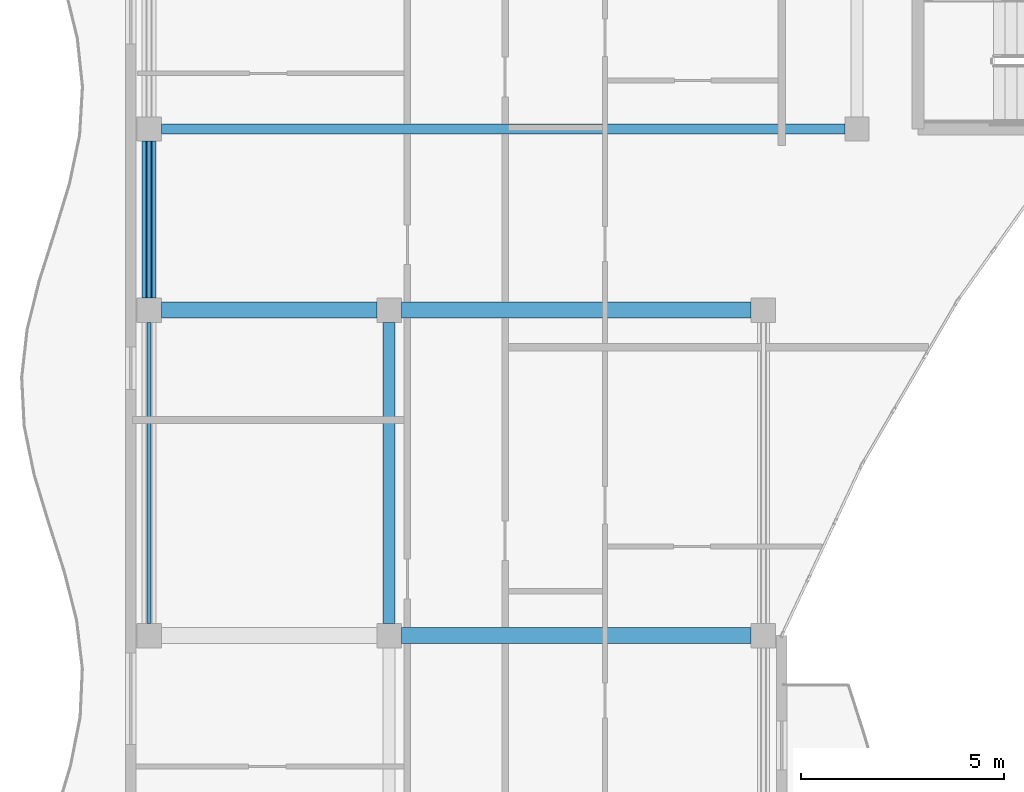
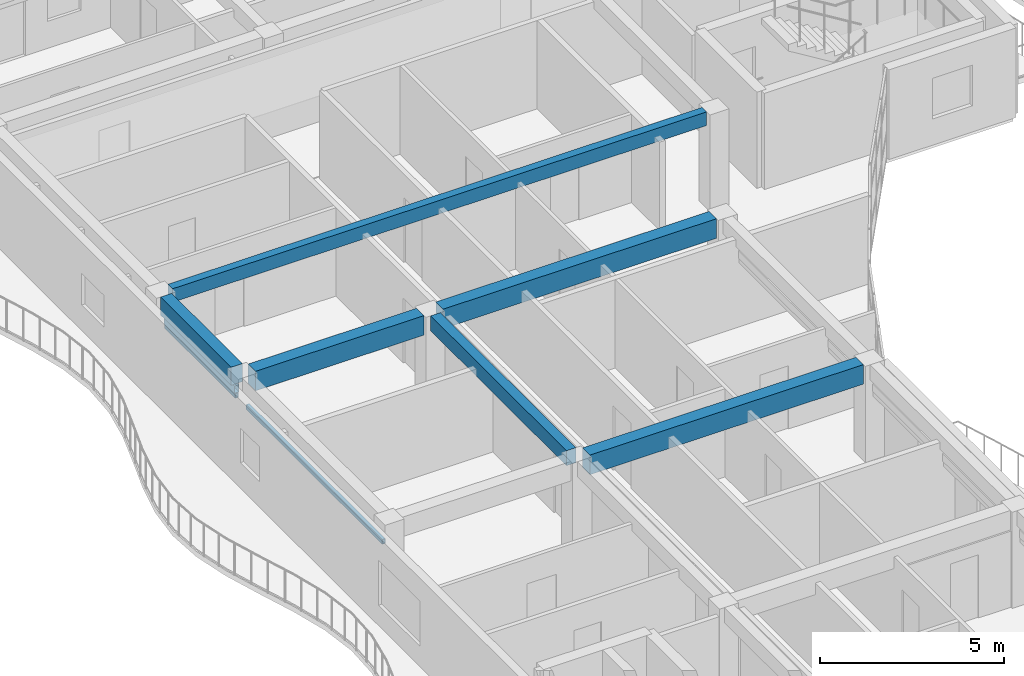
# One storey, part 2 of 76: 6 beams, 3 members.
"""IFC4 building model written with IfcOpenShell, lengths in metres."""

from ifc_helpers import new_model, si_unit, direction, frame, origin, origin_2d, place, context, subcontext, project, spatial, rectangle, hollow_rectangle, extrude, material, material_profile, profile_set, type_object, element, save


model = new_model("IFC4")

# Units and contexts
model_context = context("Model", 3, precision=1e-05, world=origin(), true_north=direction((0.0, 1.0)))
body_context = subcontext(model_context, "Body", "Model", "MODEL_VIEW")
ifc_project = project(units=[si_unit("LENGTHUNIT", "METRE"), si_unit("AREAUNIT", "SQUARE_METRE"), si_unit("VOLUMEUNIT", "CUBIC_METRE"), si_unit("PLANEANGLEUNIT", "RADIAN"), si_unit("MASSUNIT", "GRAM", prefix="KILO")], contexts=[model_context])

# Site, building, storey
site_placement = place(None, origin())
site = spatial("IfcSite", under=ifc_project, at=site_placement, CompositionType="ELEMENT")
building_placement = place(site_placement, origin())
building = spatial("IfcBuilding", under=site, at=building_placement, Name="Keldmere Railside Commons", CompositionType="ELEMENT")
storey_placement = place(building_placement, frame((0.0, 0.0, 13.760009765625)))
storey = spatial("IfcBuildingStorey", under=building, at=storey_placement, Name="L04", CompositionType="ELEMENT", Elevation=13.760009765625)

# Member
ifc_material_1 = material(Name="Steel F-36 (S355)", Category="steel")
ifc_material_profile_1 = material_profile(ifc_material_1, hollow_rectangle(XDim=0.14990234375, YDim=0.25, WallThickness=0.010009765625, at=origin_2d()), Name="RHS-250x150x10")
ifc_profile_set_1 = profile_set([ifc_material_profile_1], Name="Steel F-36 (S355)")
member_type_1 = type_object("IfcMemberType", Name="Balcony Continuous Planted Trough RHS250x150", PredefinedType="CHORD", material=ifc_profile_set_1)
member_1_placement = place(storey_placement, frame((8.449951171875, 96.300048828125, 2.4150390625), z_axis=(0.0, 1.0, 0.0), x_axis=(-1.0, 0.0, 0.0)))
element("IfcMember", 1, at=member_1_placement, inside=storey, type_object=member_type_1, Name="PLT-1 MEM-BPLT-0457", PredefinedType="CHORD", context=body_context, shape_type="SweptSolid", body=[
    extrude(hollow_rectangle(XDim=0.14990234375, YDim=0.25, WallThickness=0.010009765625, at=origin_2d()), origin(), (0.0, 0.0, 1.0), 3.849853515625),
])

# Beams
ifc_material_2 = material(Name="Architectural Precast Concrete H-35 (C35/45)", Category="concrete")
ifc_material_profile_2 = material_profile(ifc_material_2, rectangle(XDim=0.25, YDim=0.449951171875, at=origin_2d()), Name="RC-250x450")
ifc_profile_set_2 = profile_set([ifc_material_profile_2], Name="Architectural Precast Concrete H-35 (C35/45)")
beam_type_1 = type_object("IfcBeamType", Name="Perimeter Precast Spandrel Beam 250x450", PredefinedType="SPANDREL", material=ifc_profile_set_2)
beam_1_placement = place(storey_placement, frame((8.75, 100.449951171875, 2.97509765625), z_axis=(1.0, 0.0, 0.0), x_axis=(0.0, 1.0, 0.0)))
element("IfcBeam", 2, at=beam_1_placement, inside=storey, type_object=beam_type_1, Name="SPB-1 BM-L04-1554", PredefinedType="SPANDREL", context=body_context, shape_type="SweptSolid", body=[
    extrude(rectangle(XDim=0.25, YDim=0.449951171875, at=origin_2d()), origin(), (0.0, 0.0, 1.0), 16.800048828125),
])
ifc_material_3 = material(Name="Concrete H-30 (C30/37)", Category="concrete")
ifc_material_profile_3 = material_profile(ifc_material_3, rectangle(XDim=0.35009765625, YDim=0.60009765625, at=origin_2d()), Name="RC-350x600")
ifc_profile_set_3 = profile_set([ifc_material_profile_3], Name="Concrete H-30 (C30/37)")
beam_type_2 = type_object("IfcBeamType", Name="Residential Chord RC Beam 350x600", PredefinedType="BEAM", material=ifc_profile_set_3)
beam_2_placement = place(storey_placement, frame((8.449951171875, 96.300048828125, 2.89990234375), z_axis=(0.0, 1.0, 0.0), x_axis=(-1.0, 0.0, 0.0)))
element("IfcBeam", 3, at=beam_2_placement, inside=storey, type_object=beam_type_2, Name="BG-4 BM-L04-1604", PredefinedType="BEAM", context=body_context, shape_type="SweptSolid", body=[
    extrude(rectangle(XDim=0.35009765625, YDim=0.60009765625, at=origin_2d()), origin(), (0.0, 0.0, 1.0), 3.849853515625),
])
ifc_material_profile_4 = material_profile(ifc_material_3, rectangle(XDim=0.39990234375, YDim=0.64990234375, at=origin_2d()), Name="RC-400x650")
ifc_profile_set_4 = profile_set([ifc_material_profile_4], Name="Concrete H-30 (C30/37)")
beam_type_3 = type_object("IfcBeamType", Name="Residential Spine RC Girder 400x650", PredefinedType="BEAM", material=ifc_profile_set_4)
beam_3_placement = place(storey_placement, frame((14.64990234375, 88.0, 2.875), z_axis=(1.0, 0.0, 0.0), x_axis=(0.0, 1.0, 0.0)))
element("IfcBeam", 4, at=beam_3_placement, inside=storey, type_object=beam_type_3, Name="BG-3 BM-L04-1539", PredefinedType="BEAM", context=body_context, shape_type="SweptSolid", body=[
    extrude(rectangle(XDim=0.39990234375, YDim=0.64990234375, at=origin_2d()), origin(), (0.0, 0.0, 1.0), 8.60009765625),
])
beam_4_placement = place(storey_placement, frame((8.75, 96.0, 2.875), z_axis=(1.0, 0.0, 0.0), x_axis=(0.0, 1.0, 0.0)))
element("IfcBeam", 5, at=beam_4_placement, inside=storey, type_object=beam_type_3, Name="BG-3 BM-L04-1546", PredefinedType="BEAM", context=body_context, shape_type="SweptSolid", body=[
    extrude(rectangle(XDim=0.39990234375, YDim=0.64990234375, at=origin_2d()), origin(), (0.0, 0.0, 1.0), 5.300048828125),
])
beam_5_placement = place(storey_placement, frame((14.64990234375, 96.0, 2.875), z_axis=(1.0, 0.0, 0.0), x_axis=(0.0, 1.0, 0.0)))
element("IfcBeam", 6, at=beam_5_placement, inside=storey, type_object=beam_type_3, Name="BG-3 BM-L04-1547", PredefinedType="BEAM", context=body_context, shape_type="SweptSolid", body=[
    extrude(rectangle(XDim=0.39990234375, YDim=0.64990234375, at=origin_2d()), origin(), (0.0, 0.0, 1.0), 8.60009765625),
])
ifc_material_profile_5 = material_profile(ifc_material_3, rectangle(XDim=0.300048828125, YDim=0.5, at=origin_2d()), Name="RC-300x500")
ifc_profile_set_5 = profile_set([ifc_material_profile_5], Name="Concrete H-30 (C30/37)")
beam_type_4 = type_object("IfcBeamType", Name="Secondary Frame RC Beam 300x500", PredefinedType="BEAM", material=ifc_profile_set_5)
beam_6_placement = place(storey_placement, frame((14.35009765625, 88.300048828125, 2.949951171875), z_axis=(0.0, 1.0, 0.0), x_axis=(-1.0, 0.0, 0.0)))
element("IfcBeam", 7, at=beam_6_placement, inside=storey, type_object=beam_type_4, Name="BG-5 BM-L04-1611", PredefinedType="BEAM", context=body_context, shape_type="SweptSolid", body=[
    extrude(rectangle(XDim=0.300048828125, YDim=0.5, at=origin_2d()), origin(), (0.0, 0.0, 1.0), 7.39990234375),
])

# Members
ifc_material_profile_6 = material_profile(ifc_material_1, hollow_rectangle(XDim=0.10009765625, YDim=0.159912109375, WallThickness=0.008056640625, at=origin_2d()), Name="RHS-160x100x8")
ifc_profile_set_6 = profile_set([ifc_material_profile_6], Name="Steel F-36 (S355)")
member_type_2 = type_object("IfcMemberType", Name="Solar Brise-Soleil Louvre Fin RHS160x100", PredefinedType="STRUT", material=ifc_profile_set_6)
member_2_placement = place(storey_placement, frame((8.449951171875, 88.300048828125, 2.199951171875), z_axis=(0.0, 1.0, 0.0), x_axis=(-1.0, 0.0, 0.0)))
element("IfcMember", 8, at=member_2_placement, inside=storey, type_object=member_type_2, Name="BSF-1 MEM-BSF-0456", PredefinedType="STRUT", context=body_context, shape_type="SweptSolid", body=[
    extrude(hollow_rectangle(XDim=0.10009765625, YDim=0.159912109375, WallThickness=0.008056640625, at=origin_2d()), origin(), (0.0, 0.0, 1.0), 7.39990234375),
])
member_3_placement = place(storey_placement, frame((8.449951171875, 96.300048828125, 2.199951171875), z_axis=(0.0, 1.0, 0.0), x_axis=(-1.0, 0.0, 0.0)))
element("IfcMember", 9, at=member_3_placement, inside=storey, type_object=member_type_2, Name="BSF-1 MEM-BSF-0458", PredefinedType="STRUT", context=body_context, shape_type="SweptSolid", body=[
    extrude(hollow_rectangle(XDim=0.10009765625, YDim=0.159912109375, WallThickness=0.008056640625, at=origin_2d()), origin(), (0.0, 0.0, 1.0), 3.849853515625),
])

save(model, "model.ifc")
